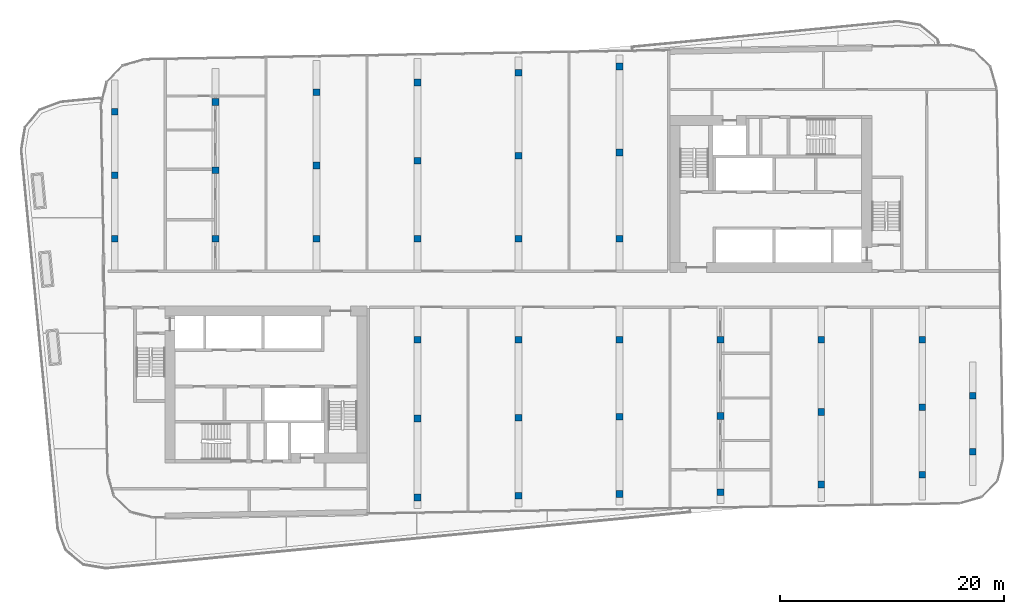
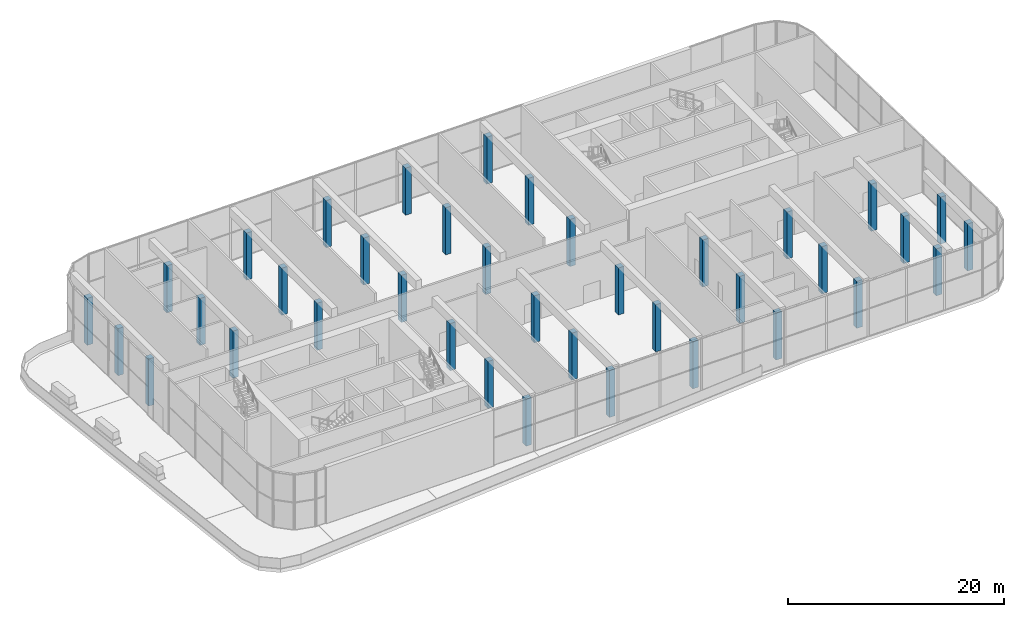
# One storey, part 1 of 24: 38 columns.
"""IFC4 building model written with IfcOpenShell, lengths in metres."""

from ifc_helpers import new_model, si_unit, direction, frame, origin, origin_2d, place, context, subcontext, project, spatial, rectangle, extrude, material, material_profile, profile_set, type_object, element, save


model = new_model("IFC4")

# Units and contexts
model_context = context("Model", 3, precision=1e-05, world=origin(), true_north=direction((0.0, 1.0)))
body_context = subcontext(model_context, "Body", "Model", "MODEL_VIEW")
ifc_project = project(units=[si_unit("LENGTHUNIT", "METRE"), si_unit("AREAUNIT", "SQUARE_METRE"), si_unit("VOLUMEUNIT", "CUBIC_METRE"), si_unit("PLANEANGLEUNIT", "RADIAN"), si_unit("MASSUNIT", "GRAM", prefix="KILO")], contexts=[model_context])

# Site, building, storey
site_placement = place(None, origin())
site = spatial("IfcSite", under=ifc_project, at=site_placement, CompositionType="ELEMENT")
building_placement = place(site_placement, origin())
building = spatial("IfcBuilding", under=site, at=building_placement, Name="Kajstack Hotel Tower", CompositionType="ELEMENT")
storey_placement = place(building_placement, frame((0.0, 0.0, 211.10009765625)))
storey = spatial("IfcBuildingStorey", under=building, at=storey_placement, Name="L51", CompositionType="ELEMENT", Elevation=211.10009765625)

# Columns
ifc_material = material(Name="Concrete C45/55", Category="concrete")
ifc_material_profile = material_profile(ifc_material, rectangle(XDim=0.60009765625, YDim=0.60009765625, at=origin_2d()), Name="RC 600x600")
ifc_profile_set = profile_set([ifc_material_profile], Name="Concrete C45/55")
column_type = type_object("IfcColumnType", Name="GC4 RC 600x600 C45/55", PredefinedType="COLUMN", material=ifc_profile_set)
for number, where, z_axis, x_axis, name in (
    (1, (-36.0, 4.5, 0.0), (0.0, 0.0, 1.0), (1.0, 0.0, 0.0), "S-col-g-L51--36p0+4p5"),
    (2, (-36.0, 10.16162109375, 0.0), (0.0, 0.0, 1.0), (1.0, 0.0, 0.0), "S-col-g-L51--36p0+10p2"),
    (3, (-36.0, 15.822998046875, 0.0), (0.0, 0.0, 1.0), (1.0, 0.0, 0.0), "S-col-g-L51--36p0+15p8"),
    (4, (-27.0, 4.5, 0.0), (0.0, 0.0, 1.0), (1.0, 0.0, 0.0), "S-col-g-L51--27p0+4p5"),
    (5, (-27.0, 10.594970703125, 0.0), (0.0, 0.0, 1.0), (1.0, 0.0, 0.0), "S-col-g-L51--27p0+10p6"),
    (6, (-27.0, 16.689697265625, 0.0), (0.0, 0.0, 1.0), (1.0, 0.0, 0.0), "S-col-g-L51--27p0+16p7"),
    (7, (-18.0, 4.5, 0.0), (0.0, 0.0, 1.0), (1.0, 0.0, 0.0), "S-col-g-L51--18p0+4p5"),
    (8, (-18.0, 11.028076171875, 0.0), (0.0, 0.0, 1.0), (1.0, 0.0, 0.0), "S-col-g-L51--18p0+11p0"),
    (9, (-18.0, 17.556396484375, 0.0), (0.0, 0.0, 1.0), (1.0, 0.0, 0.0), "S-col-g-L51--18p0+17p6"),
    (10, (-9.0, -18.5625, 0.0), (0.0, 0.0, 1.0), (1.0, 0.0, 0.0), "S-col-g-L51--9p0-18p6"),
    (11, (-9.0, -11.53125, 0.0), (0.0, 0.0, 1.0), (1.0, 0.0, 0.0), "S-col-g-L51--9p0-11p5"),
    (12, (-9.0, -4.5, 0.0), (0.0, 0.0, 1.0), (1.0, 0.0, 0.0), "S-col-g-L51--9p0-4p5"),
    (13, (-9.0, 4.5, 0.0), (0.0, 0.0, 1.0), (1.0, 0.0, 0.0), "S-col-g-L51--9p0+4p5"),
    (14, (-9.0, 11.46142578125, 0.0), (0.0, 0.0, 1.0), (1.0, 0.0, 0.0), "S-col-g-L51--9p0+11p5"),
    (15, (-9.0, 18.4228515625, 0.0), (0.0, 0.0, 1.0), (1.0, 0.0, 0.0), "S-col-g-L51--9p0+18p4"),
    (16, (0.0, -18.405517578125, 0.0), (0.0, 0.0, 1.0), (1.0, 0.0, 0.0), "S-col-g-L51-+0p0-18p4"),
    (17, (0.0, -11.45263671875, 0.0), (0.0, 0.0, 1.0), (1.0, 0.0, 0.0), "S-col-g-L51-+0p0-11p5"),
    (18, (0.0, -4.5, 0.0), (0.0, 0.0, 1.0), (1.0, 0.0, 0.0), "S-col-g-L51-+0p0-4p5"),
    (19, (0.0, 4.5, 0.0), (0.0, 0.0, 1.0), (1.0, 0.0, 0.0), "S-col-g-L51-+0p0+4p5"),
    (20, (0.0, 11.894775390625, 0.0), (0.0, 0.0, 1.0), (1.0, 0.0, 0.0), "S-col-g-L51-+0p0+11p9"),
    (21, (0.0, 19.28955078125, 0.0), (0.0, 0.0, 1.0), (1.0, 0.0, 0.0), "S-col-g-L51-+0p0+19p3"),
    (22, (9.0, -18.248291015625, 0.0), (0.0, 0.0, 1.0), (1.0, 0.0, 0.0), "S-col-g-L51-+9p0-18p2"),
    (23, (9.0, -11.374267578125, 0.0), (0.0, 0.0, 1.0), (1.0, 0.0, 0.0), "S-col-g-L51-+9p0-11p4"),
    (24, (9.0, -4.5, 0.0), (0.0, 0.0, 1.0), (1.0, 0.0, 0.0), "S-col-g-L51-+9p0-4p5"),
    (25, (9.0, 4.5, 0.0), (0.0, 0.0, 1.0), (1.0, 0.0, 0.0), "S-col-g-L51-+9p0+4p5"),
    (26, (9.0, 12.178955078125, 0.0), (0.0, 0.0, 1.0), (1.0, 0.0, 0.0), "S-col-g-L51-+9p0+12p2"),
    (27, (9.0, 19.85791015625, 0.0), (0.0, 0.0, 1.0), (1.0, 0.0, 0.0), "S-col-g-L51-+9p0+19p9"),
    (28, (18.0, -18.09130859375, 0.0), (0.0, 0.0, 1.0), (1.0, 0.0, 0.0), "S-col-g-L51-+18p0-18p1"),
    (29, (18.0, -11.295654296875, 0.0), (0.0, 0.0, 1.0), (1.0, 0.0, 0.0), "S-col-g-L51-+18p0-11p3"),
    (30, (18.0, -4.5, 0.0), (0.0, 0.0, 1.0), (1.0, 0.0, 0.0), "S-col-g-L51-+18p0-4p5"),
    (31, (27.0, -17.40087890625, 0.0), (0.0, 0.0, 1.0), (1.0, 0.0, 0.0), "S-col-g-L51-+27p0-17p4"),
    (32, (27.0, -10.950439453125, 0.0), (0.0, 0.0, 1.0), (1.0, 0.0, 0.0), "S-col-g-L51-+27p0-11p0"),
    (33, (27.0, -4.5, 0.0), (0.0, 0.0, 1.0), (1.0, 0.0, 0.0), "S-col-g-L51-+27p0-4p5"),
    (34, (36.0, -16.5341796875, 0.0), (0.0, 0.0, 1.0), (1.0, 0.0, 0.0), "S-col-g-L51-+36p0-16p5"),
    (35, (36.0, -10.51708984375, 0.0), (0.0, 0.0, 1.0), (1.0, 0.0, 0.0), "S-col-g-L51-+36p0-10p5"),
    (36, (36.0, -4.5, 0.0), (0.0, 0.0, 1.0), (1.0, 0.0, 0.0), "S-col-g-L51-+36p0-4p5"),
    (37, (40.5, -14.502685546875, 0.0), (0.0, 0.0, 1.0), (1.0, 0.0, 0.0), "S-col-g-L51-+40p5-14p5"),
    (38, (40.5, -9.501220703125, 0.0), (0.0, 0.0, 1.0), (1.0, 0.0, 0.0), "S-col-g-L51-+40p5-9p5"),
):
    element("IfcColumn", number, at=place(storey_placement, frame(where, z_axis=z_axis, x_axis=x_axis)), inside=storey, type_object=column_type, Name=name, PredefinedType="COLUMN", context=body_context, shape_type="SweptSolid", body=[
        extrude(rectangle(XDim=0.60009765625, YDim=0.60009765625, at=origin_2d()), origin(), (0.0, 0.0, 1.0), 5.31982421875),
    ])

save(model, "model.ifc")
